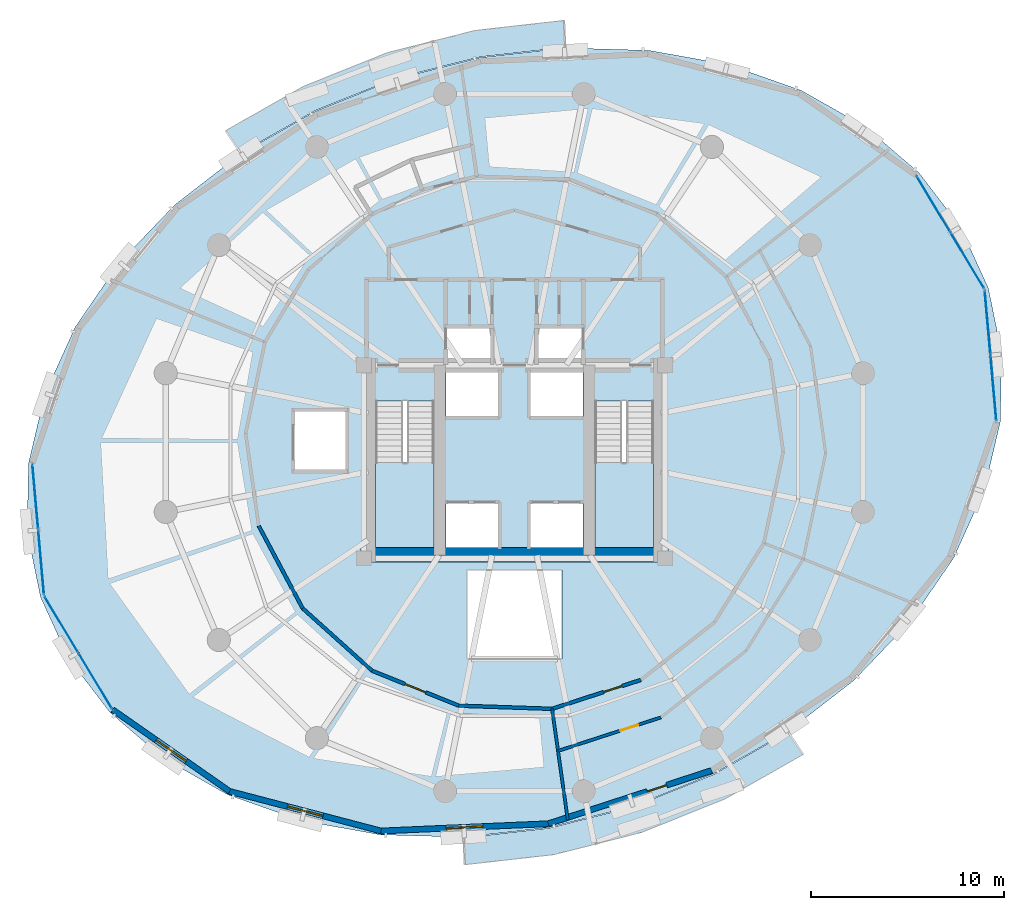
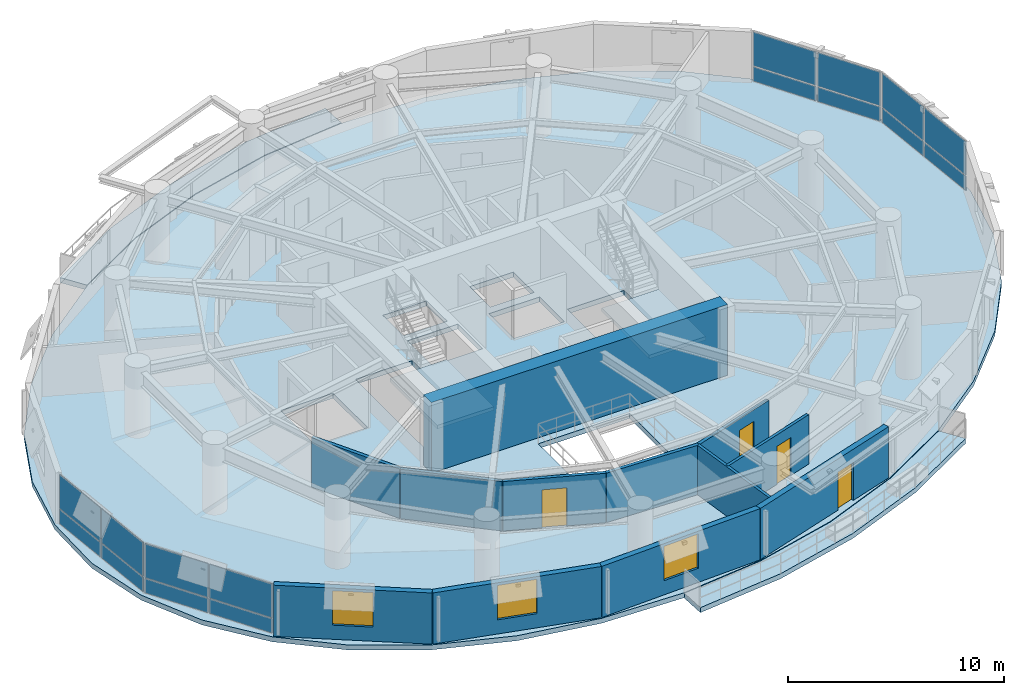
# One storey, part 9 of 15: 16 plates, 12 walls, 5 slabs, 4 doors, 3 windows, 7 openings, 6 elements without a shape of their own.
"""IFC4 building model written with IfcOpenShell, lengths in metres."""

from ifc_helpers import new_model, si_unit, direction, frame, frame_2d, origin, origin_2d, place, context, subcontext, project, spatial, polyline, rectangle, outline, extrude, material, layer, layer_set, type_object, element, fill, aggregate, save


model = new_model("IFC4")

# Units and contexts
model_context = context("Model", 3, precision=1e-05, world=origin(), true_north=direction((0.0, 1.0)))
body_context = subcontext(model_context, "Body", "Model", "MODEL_VIEW")
ifc_project = project(units=[si_unit("LENGTHUNIT", "METRE"), si_unit("AREAUNIT", "SQUARE_METRE"), si_unit("VOLUMEUNIT", "CUBIC_METRE"), si_unit("PLANEANGLEUNIT", "RADIAN"), si_unit("MASSUNIT", "GRAM", prefix="KILO"), si_unit("THERMODYNAMICTEMPERATUREUNIT", "KELVIN"), si_unit("POWERUNIT", "WATT")], contexts=[model_context])

# Site, building, storey
site_placement = place(None, origin())
site = spatial("IfcSite", under=ifc_project, at=site_placement, CompositionType="ELEMENT")
building_placement = place(site_placement, origin())
building = spatial("IfcBuilding", under=site, at=building_placement, Name="Ocrelia Relay Tower", CompositionType="ELEMENT")
storey_placement = place(building_placement, frame((0.0, 0.0, 109.800048828125)))
storey = spatial("IfcBuildingStorey", under=building, at=storey_placement, Name="L25", CompositionType="ELEMENT", Elevation=109.800048828125)

# Curtain wall, plates
ifc_material_1 = material(Name="Aluminium and solar-control low-E glass", Category="aluminium")
ifc_layer_1 = layer(ifc_material_1, 0.179931640625, Name="Aluminium and solar-control low-E glass")
ifc_layer_set_1 = layer_set([ifc_layer_1], Name="Aluminium and solar-control low-E glass")
curtain_wall_type = type_object("IfcCurtainWallType", Name="CW-SYS-Z2-SWIT", PredefinedType="NOTDEFINED", material=ifc_layer_set_1)
curtain_wall_1_placement = place(storey_placement, origin())
curtain_wall_1 = element("IfcCurtainWall", 1, at=curtain_wall_1_placement, inside=storey, type_object=curtain_wall_type, Name="L25 Elliptical Tower Curtain Wall Bay 01", PredefinedType="NOTDEFINED")
ifc_material_2 = material(Name="Clear double-glazed low-E glass", Category="glass")
ifc_layer_2 = layer(ifc_material_2, 0.031982421875, Name="Clear double-glazed low-E glass")
ifc_layer_set_2 = layer_set([ifc_layer_2], Name="Clear double-glazed low-E glass")
plate_type = type_object("IfcPlateType", Name="CW-SYS-Z2-SWIT-PNL", PredefinedType="CURTAIN_PANEL", material=ifc_layer_set_2)
plate_1_placement = place(storey_placement, frame((57.44482421875, 35.4208984375, 0.059814453125), z_axis=(0.0, 0.0, 1.0), x_axis=(-0.51532070347, 0.856997416901, 0.0)))
plate_1 = element("IfcPlate", 2, at=plate_1_placement, type_object=plate_type, Name="CW-Z2 panel 1.1", PredefinedType="CURTAIN_PANEL", context=body_context, shape_type="SweptSolid", body=[
    extrude(rectangle(XDim=3.33447265625, YDim=0.031982421875, at=origin_2d()), origin(), (0.0, 0.0, 1.0), 0.81005859375),
])
plate_2_placement = place(storey_placement, frame((57.44482421875, 35.4208984375, 0.93017578125), z_axis=(0.0, 0.0, 1.0), x_axis=(-0.51532070347, 0.856997416901, 0.0)))
plate_2 = element("IfcPlate", 3, at=plate_2_placement, type_object=plate_type, Name="CW-Z2 panel 1.2", PredefinedType="CURTAIN_PANEL", context=body_context, shape_type="SweptSolid", body=[
    extrude(rectangle(XDim=3.33447265625, YDim=0.031982421875, at=origin_2d()), origin(), (0.0, 0.0, 1.0), 1.909912109375),
])
plate_3_placement = place(storey_placement, frame((55.6904296875, 38.338623046875, 0.059814453125), z_axis=(0.0, 0.0, 1.0), x_axis=(-0.51532070347, 0.856997416901, 0.0)))
plate_3 = element("IfcPlate", 4, at=plate_3_placement, type_object=plate_type, Name="CW-Z2 panel 2.1", PredefinedType="CURTAIN_PANEL", context=body_context, shape_type="SweptSolid", body=[
    extrude(rectangle(XDim=3.33447265625, YDim=0.031982421875, at=origin_2d()), origin(), (0.0, 0.0, 1.0), 0.81005859375),
])
plate_4_placement = place(storey_placement, frame((55.6904296875, 38.338623046875, 0.93017578125), z_axis=(0.0, 0.0, 1.0), x_axis=(-0.51532070347, 0.856997416901, 0.0)))
plate_4 = element("IfcPlate", 5, at=plate_4_placement, type_object=plate_type, Name="CW-Z2 panel 2.2", PredefinedType="CURTAIN_PANEL", context=body_context, shape_type="SweptSolid", body=[
    extrude(rectangle(XDim=3.33447265625, YDim=0.031982421875, at=origin_2d()), origin(), (0.0, 0.0, 1.0), 1.909912109375),
])
aggregate(curtain_wall_1, [plate_1, plate_2, plate_3, plate_4])

curtain_wall_2_placement = place(storey_placement, origin())
curtain_wall_2 = element("IfcCurtainWall", 6, at=curtain_wall_2_placement, inside=storey, type_object=curtain_wall_type, Name="L25 Elliptical Tower Curtain Wall Bay 09", PredefinedType="NOTDEFINED")
plate_5_placement = place(storey_placement, frame((9.20458984375, 23.189453125, 0.059814453125), z_axis=(0.0, 0.0, 1.0), x_axis=(0.088557738612, -0.996071045123, 0.0)))
plate_5 = element("IfcPlate", 7, at=plate_5_placement, type_object=plate_type, Name="CW-Z2 panel 1.1", PredefinedType="CURTAIN_PANEL", context=body_context, shape_type="SweptSolid", body=[
    extrude(rectangle(XDim=3.33447265625, YDim=0.031982421875, at=origin_2d()), origin(), (0.0, 0.0, 1.0), 0.81005859375),
])
plate_6_placement = place(storey_placement, frame((9.20458984375, 23.189453125, 0.93017578125), z_axis=(0.0, 0.0, 1.0), x_axis=(0.088557738612, -0.996071045123, 0.0)))
plate_6 = element("IfcPlate", 8, at=plate_6_placement, type_object=plate_type, Name="CW-Z2 panel 1.2", PredefinedType="CURTAIN_PANEL", context=body_context, shape_type="SweptSolid", body=[
    extrude(rectangle(XDim=3.33447265625, YDim=0.031982421875, at=origin_2d()), origin(), (0.0, 0.0, 1.0), 1.909912109375),
])
plate_7_placement = place(storey_placement, frame((9.506103515625, 19.79833984375, 0.059814453125), z_axis=(0.0, 0.0, 1.0), x_axis=(0.088557738612, -0.996071045123, 0.0)))
plate_7 = element("IfcPlate", 9, at=plate_7_placement, type_object=plate_type, Name="CW-Z2 panel 2.1", PredefinedType="CURTAIN_PANEL", context=body_context, shape_type="SweptSolid", body=[
    extrude(rectangle(XDim=3.33447265625, YDim=0.031982421875, at=origin_2d()), origin(), (0.0, 0.0, 1.0), 0.81005859375),
])
plate_8_placement = place(storey_placement, frame((9.506103515625, 19.79833984375, 0.93017578125), z_axis=(0.0, 0.0, 1.0), x_axis=(0.088557738612, -0.996071045123, 0.0)))
plate_8 = element("IfcPlate", 10, at=plate_8_placement, type_object=plate_type, Name="CW-Z2 panel 2.2", PredefinedType="CURTAIN_PANEL", context=body_context, shape_type="SweptSolid", body=[
    extrude(rectangle(XDim=3.33447265625, YDim=0.031982421875, at=origin_2d()), origin(), (0.0, 0.0, 1.0), 1.909912109375),
])
aggregate(curtain_wall_2, [plate_5, plate_6, plate_7, plate_8])

curtain_wall_3_placement = place(storey_placement, origin())
curtain_wall_3 = element("IfcCurtainWall", 11, at=curtain_wall_3_placement, inside=storey, type_object=curtain_wall_type, Name="L25 Elliptical Tower Curtain Wall Bay 10", PredefinedType="NOTDEFINED")
plate_9_placement = place(storey_placement, frame((10.55517578125, 16.5791015625, 0.059814453125), z_axis=(0.0, 0.0, 1.0), x_axis=(0.51532070347, -0.856997416901, 0.0)))
plate_9 = element("IfcPlate", 12, at=plate_9_placement, type_object=plate_type, Name="CW-Z2 panel 1.1", PredefinedType="CURTAIN_PANEL", context=body_context, shape_type="SweptSolid", body=[
    extrude(rectangle(XDim=3.33447265625, YDim=0.031982421875, at=origin_2d()), origin(), (0.0, 0.0, 1.0), 0.81005859375),
])
plate_10_placement = place(storey_placement, frame((10.55517578125, 16.5791015625, 0.93017578125), z_axis=(0.0, 0.0, 1.0), x_axis=(0.51532070347, -0.856997416901, 0.0)))
plate_10 = element("IfcPlate", 13, at=plate_10_placement, type_object=plate_type, Name="CW-Z2 panel 1.2", PredefinedType="CURTAIN_PANEL", context=body_context, shape_type="SweptSolid", body=[
    extrude(rectangle(XDim=3.33447265625, YDim=0.031982421875, at=origin_2d()), origin(), (0.0, 0.0, 1.0), 1.909912109375),
])
plate_11_placement = place(storey_placement, frame((12.3095703125, 13.661376953125, 0.059814453125), z_axis=(0.0, 0.0, 1.0), x_axis=(0.51532070347, -0.856997416901, 0.0)))
plate_11 = element("IfcPlate", 14, at=plate_11_placement, type_object=plate_type, Name="CW-Z2 panel 2.1", PredefinedType="CURTAIN_PANEL", context=body_context, shape_type="SweptSolid", body=[
    extrude(rectangle(XDim=3.33447265625, YDim=0.031982421875, at=origin_2d()), origin(), (0.0, 0.0, 1.0), 0.81005859375),
])
plate_12_placement = place(storey_placement, frame((12.3095703125, 13.661376953125, 0.93017578125), z_axis=(0.0, 0.0, 1.0), x_axis=(0.51532070347, -0.856997416901, 0.0)))
plate_12 = element("IfcPlate", 15, at=plate_12_placement, type_object=plate_type, Name="CW-Z2 panel 2.2", PredefinedType="CURTAIN_PANEL", context=body_context, shape_type="SweptSolid", body=[
    extrude(rectangle(XDim=3.33447265625, YDim=0.031982421875, at=origin_2d()), origin(), (0.0, 0.0, 1.0), 1.909912109375),
])
aggregate(curtain_wall_3, [plate_9, plate_10, plate_11, plate_12])

curtain_wall_4_placement = place(storey_placement, origin())
curtain_wall_4 = element("IfcCurtainWall", 16, at=curtain_wall_4_placement, inside=storey, type_object=curtain_wall_type, Name="L25 Elliptical Tower Curtain Wall Bay 18", PredefinedType="NOTDEFINED")
plate_13_placement = place(storey_placement, frame((58.79541015625, 28.810546875, 0.059814453125), z_axis=(0.0, 0.0, 1.0), x_axis=(-0.088557738612, 0.996071045123, 0.0)))
plate_13 = element("IfcPlate", 17, at=plate_13_placement, type_object=plate_type, Name="CW-Z2 panel 1.1", PredefinedType="CURTAIN_PANEL", context=body_context, shape_type="SweptSolid", body=[
    extrude(rectangle(XDim=3.33447265625, YDim=0.031982421875, at=origin_2d()), origin(), (0.0, 0.0, 1.0), 0.81005859375),
])
plate_14_placement = place(storey_placement, frame((58.79541015625, 28.810546875, 0.93017578125), z_axis=(0.0, 0.0, 1.0), x_axis=(-0.088557738612, 0.996071045123, 0.0)))
plate_14 = element("IfcPlate", 18, at=plate_14_placement, type_object=plate_type, Name="CW-Z2 panel 1.2", PredefinedType="CURTAIN_PANEL", context=body_context, shape_type="SweptSolid", body=[
    extrude(rectangle(XDim=3.33447265625, YDim=0.031982421875, at=origin_2d()), origin(), (0.0, 0.0, 1.0), 1.909912109375),
])
plate_15_placement = place(storey_placement, frame((58.493896484375, 32.20166015625, 0.059814453125), z_axis=(0.0, 0.0, 1.0), x_axis=(-0.088557738612, 0.996071045123, 0.0)))
plate_15 = element("IfcPlate", 19, at=plate_15_placement, type_object=plate_type, Name="CW-Z2 panel 2.1", PredefinedType="CURTAIN_PANEL", context=body_context, shape_type="SweptSolid", body=[
    extrude(rectangle(XDim=3.33447265625, YDim=0.031982421875, at=origin_2d()), origin(), (0.0, 0.0, 1.0), 0.81005859375),
])
plate_16_placement = place(storey_placement, frame((58.493896484375, 32.20166015625, 0.93017578125), z_axis=(0.0, 0.0, 1.0), x_axis=(-0.088557738612, 0.996071045123, 0.0)))
plate_16 = element("IfcPlate", 20, at=plate_16_placement, type_object=plate_type, Name="CW-Z2 panel 2.2", PredefinedType="CURTAIN_PANEL", context=body_context, shape_type="SweptSolid", body=[
    extrude(rectangle(XDim=3.33447265625, YDim=0.031982421875, at=origin_2d()), origin(), (0.0, 0.0, 1.0), 1.909912109375),
])
aggregate(curtain_wall_4, [plate_13, plate_14, plate_15, plate_16])

# Slabs
ifc_material_3 = material(Name="Precast concrete C40/50", Category="concrete")
ifc_layer_3 = layer(ifc_material_3, 0.280029296875, Name="Precast concrete C40/50")
ifc_layer_set_3 = layer_set([ifc_layer_3], Name="Precast concrete C40/50")
slab_type_1 = type_object("IfcSlabType", Name="SL-BALC-280", PredefinedType="FLOOR", material=ifc_layer_set_3)
slab_1_placement = place(storey_placement, frame((0.0, 0.0, -0.280029296875)))
element("IfcSlab", 21, at=slab_1_placement, inside=storey, type_object=slab_type_1, Name="L25 Planted Loggia Balcony B1", PredefinedType="FLOOR", context=body_context, shape_type="SweptSolid", body=[
    extrude(outline(polyline([(36.62353515625, 46.454345703125), (34.418212890625, 46.205810546875), (32.21240234375, 45.957275390625), (27.855712890625, 44.854248046875), (23.685546875, 43.178466796875), (21.757080078125, 42.079833984375), (19.82861328125, 40.981201171875), (19.055419921875, 42.140380859375), (21.0673828125, 43.28662109375), (23.07958984375, 44.43310546875), (27.424072265625, 46.1787109375), (31.962890625, 47.327880859375), (34.26416015625, 47.58740234375), (36.5654296875, 47.8466796875), (36.62353515625, 46.454345703125)])), origin(), (0.0, 0.0, 1.0), 0.280029296875),
])
slab_2_placement = place(storey_placement, frame((0.0, 0.0, -0.280029296875)))
element("IfcSlab", 22, at=slab_2_placement, inside=storey, type_object=slab_type_1, Name="L25 Planted Loggia Balcony B2", PredefinedType="FLOOR", context=body_context, shape_type="SweptSolid", body=[
    extrude(outline(polyline([(31.37646484375, 5.545654296875), (33.581787109375, 5.794189453125), (35.78759765625, 6.042724609375), (40.144287109375, 7.145751953125), (44.314453125, 8.821533203125), (46.242919921875, 9.920166015625), (48.17138671875, 11.018798828125), (48.944580078125, 9.859619140625), (46.9326171875, 8.71337890625), (44.92041015625, 7.56689453125), (40.575927734375, 5.8212890625), (36.037109375, 4.672119140625), (33.73583984375, 4.41259765625), (31.4345703125, 4.1533203125), (31.37646484375, 5.545654296875)])), origin(), (0.0, 0.0, 1.0), 0.280029296875),
])
ifc_material_4 = material(Name="Concrete C50/60", Category="concrete")
ifc_layer_4 = layer(ifc_material_4, 0.280029296875, Name="Concrete C50/60")
ifc_layer_set_4 = layer_set([ifc_layer_4], Name="Concrete C50/60")
slab_type_2 = type_object("IfcSlabType", Name="SL-FLR-280", PredefinedType="FLOOR", material=ifc_layer_set_4)
slab_3_placement = place(storey_placement, frame((0.0, 0.0, -0.280029296875)))
element("IfcSlab", 23, at=slab_3_placement, inside=storey, type_object=slab_type_2, Name="L25 Elliptical Tower Floor Slab", PredefinedType="FLOOR", context=body_context, shape_type="SweptSolid", body=[
    extrude(outline(polyline([(58.5302734375, 33.993896484375), (57.09228515625, 37.1416015625), (54.95263671875, 39.95068359375), (52.176513671875, 42.335693359375), (48.847900390625, 44.224609375), (45.068115234375, 45.559814453125), (40.9521484375, 46.30029296875), (36.625, 46.42431640625), (32.218017578125, 45.927734375), (27.864990234375, 44.82568359375), (23.698486328125, 43.1513671875), (19.84521484375, 40.9560546875), (16.421875, 38.306396484375), (13.53271484375, 35.28271484375), (11.26513671875, 31.97705078125), (9.688720703125, 28.48974609375), (8.850830078125, 24.9267578125), (8.777099609375, 21.396484375), (9.4697265625, 18.006103515625), (10.90771484375, 14.8583984375), (13.04736328125, 12.04931640625), (15.823486328125, 9.664306640625), (19.152099609375, 7.775390625), (22.931884765625, 6.440185546875), (27.0478515625, 5.69970703125), (31.375, 5.57568359375), (35.781982421875, 6.072265625), (40.135009765625, 7.17431640625), (44.301513671875, 8.8486328125), (48.15478515625, 11.0439453125), (51.578125, 13.693603515625), (54.46728515625, 16.71728515625), (56.73486328125, 20.02294921875), (58.311279296875, 23.51025390625), (59.149169921875, 27.0732421875), (59.222900390625, 30.603515625), (58.5302734375, 33.993896484375)]), holes=[polyline([(26.81005859375, 28.14990234375), (26.81005859375, 20.550048828125), (29.85009765625, 20.550048828125), (29.85009765625, 28.14990234375), (26.81005859375, 28.14990234375)]), polyline([(38.159912109375, 28.14990234375), (38.159912109375, 20.550048828125), (41.199951171875, 20.550048828125), (41.199951171875, 28.14990234375), (38.159912109375, 28.14990234375)]), polyline([(30.4599609375, 20.550048828125), (33.159912109375, 20.550048828125), (33.159912109375, 22.85009765625), (30.4599609375, 22.85009765625), (30.4599609375, 20.550048828125)]), polyline([(34.840087890625, 20.550048828125), (37.5400390625, 20.550048828125), (37.5400390625, 22.85009765625), (34.840087890625, 22.85009765625), (34.840087890625, 20.550048828125)]), polyline([(30.4599609375, 27.35009765625), (33.159912109375, 27.35009765625), (33.159912109375, 29.64990234375), (30.4599609375, 29.64990234375), (30.4599609375, 27.35009765625)]), polyline([(34.840087890625, 27.35009765625), (37.5400390625, 27.35009765625), (37.5400390625, 29.64990234375), (34.840087890625, 29.64990234375), (34.840087890625, 27.35009765625)]), polyline([(30.5, 30.10009765625), (32.85009765625, 30.10009765625), (32.85009765625, 32.0), (30.5, 32.0), (30.5, 30.10009765625)]), polyline([(35.14990234375, 30.10009765625), (37.5, 30.10009765625), (37.5, 32.0), (35.14990234375, 32.0), (35.14990234375, 30.10009765625)]), polyline([(22.550048828125, 24.5), (25.35009765625, 24.5), (25.35009765625, 27.699951171875), (22.550048828125, 27.699951171875), (22.550048828125, 24.5)]), polyline([(31.550048828125, 14.800048828125), (36.449951171875, 14.800048828125), (36.449951171875, 19.39990234375), (31.550048828125, 19.39990234375), (31.550048828125, 14.800048828125)])]), origin(), (0.0, 0.0, 1.0), 0.280029296875),
])

# Stair, slab
stair_type = type_object("IfcStairType", Name="ST-DL-1420-R167", PredefinedType="HALF_TURN_STAIR", material=ifc_material_4)
stair_1_placement = place(storey_placement, origin())
stair_1 = element("IfcStair", 24, at=stair_1_placement, inside=storey, type_object=stair_type, Name="L25 West Core Exit Stair ST1", PredefinedType="HALF_TURN_STAIR")
ifc_layer_5 = layer(ifc_material_4, 0.199951171875, Name="Concrete C50/60")
ifc_layer_set_5 = layer_set([ifc_layer_5], Name="Concrete C50/60")
slab_type_3 = type_object("IfcSlabType", Name="SL-LANDING-200", PredefinedType="LANDING", material=ifc_layer_set_5)
slab_4_placement = place(storey_placement, frame((0.0, 0.0, 1.800048828125)))
slab_4 = element("IfcSlab", 25, at=slab_4_placement, type_object=slab_type_3, Name="ST1 landing 1", PredefinedType="LANDING", context=body_context, shape_type="SweptSolid", body=[
    extrude(outline(polyline([(26.81005859375, 24.9599609375), (26.81005859375, 20.550048828125), (29.85009765625, 20.550048828125), (29.85009765625, 24.9599609375), (26.81005859375, 24.9599609375)])), origin(), (0.0, 0.0, 1.0), 0.199951171875),
])
aggregate(stair_1, [slab_4])

stair_2_placement = place(storey_placement, origin())
stair_2 = element("IfcStair", 26, at=stair_2_placement, inside=storey, type_object=stair_type, Name="L25 East Core Exit Stair ST2", PredefinedType="HALF_TURN_STAIR")
slab_5_placement = place(storey_placement, frame((0.0, 0.0, 1.800048828125)))
slab_5 = element("IfcSlab", 27, at=slab_5_placement, type_object=slab_type_3, Name="ST2 landing 1", PredefinedType="LANDING", context=body_context, shape_type="SweptSolid", body=[
    extrude(outline(polyline([(38.159912109375, 24.9599609375), (38.159912109375, 20.550048828125), (41.199951171875, 20.550048828125), (41.199951171875, 24.9599609375), (38.159912109375, 24.9599609375)])), origin(), (0.0, 0.0, 1.0), 0.199951171875),
])
aggregate(stair_2, [slab_5])

# Walls
ifc_material_5 = material(Name="Concrete C60/75", Category="concrete")
ifc_layer_6 = layer(ifc_material_5, 0.75, Name="Concrete C60/75")
ifc_layer_set_6 = layer_set([ifc_layer_6], Name="Concrete C60/75")
wall_type_1 = type_object("IfcWallType", Name="CW-CORE-750", PredefinedType="SHEAR", material=ifc_layer_set_6)
wall_1_placement = place(storey_placement, frame((26.072021484375, 20.18701171875, 0.0), z_axis=(0.0, 0.0, 1.0), x_axis=(1.0, 0.0, 0.0)))
element("IfcWall", 28, at=wall_1_placement, inside=storey, type_object=wall_type_1, Name="L25 Core Shear Wall S", PredefinedType="SHEAR", context=body_context, shape_type="SweptSolid", body=[
    extrude(rectangle(XDim=15.865966796875, YDim=0.75, at=frame_2d((7.93310546875, 0.0))), origin(), (0.0, 0.0, 1.0), 4.0),
])
ifc_material_6 = material(Name="Gypsum Fireboard Partition EI60", Category="gypsum")
ifc_layer_7 = layer(ifc_material_6, 0.179931640625, Name="Gypsum Fireboard Partition EI60")
ifc_layer_set_7 = layer_set([ifc_layer_7], Name="Gypsum Fireboard Partition EI60")
wall_type_2 = type_object("IfcWallType", Name="W-CORR-EI60-180", PredefinedType="PARTITIONING", material=ifc_layer_set_7)
for number, where, z_axis, x_axis, name in (
    (29, (20.76513671875, 21.68701171875, 0.0), (0.0, 0.0, 1.0), (0.470213368223, -0.882552768023, 0.0), "L25 Optical Switching Hall A Corridor Partition 3"),
    (30, (23.038330078125, 17.42041015625, 0.0), (0.0, 0.0, 1.0), (0.743728409831, -0.668481901333, 0.0), "L25 Optical Switching Hall A Corridor Partition 4"),
):
    element("IfcWall", number, at=place(storey_placement, frame(where, z_axis=z_axis, x_axis=x_axis)), inside=storey, type_object=wall_type_2, Name=name, PredefinedType="PARTITIONING", context=body_context, shape_type="SweptSolid", body=[
        extrude(rectangle(XDim=4.83447265625, YDim=0.179931640625, at=frame_2d((2.417236328125, 0.0))), origin(), (0.0, 0.0, 1.0), 2.800048828125),
    ])

# Wall, opening, door
wall_2_placement = place(storey_placement, frame((26.6337890625, 14.188720703125, 0.0), z_axis=(0.0, 0.0, 1.0), x_axis=(0.927512361667, -0.373792481138, 0.0)))
wall_2 = element("IfcWall", 31, at=wall_2_placement, inside=storey, type_object=wall_type_2, Name="L25 Optical Switching Hall A Corridor Partition 5", PredefinedType="PARTITIONING", context=body_context, shape_type="SweptSolid", body=[
    extrude(rectangle(XDim=4.83447265625, YDim=0.179931640625, at=frame_2d((2.417236328125, 0.0))), origin(), (0.0, 0.0, 1.0), 2.800048828125),
])
opening_1_placement = place(wall_2_placement, frame((1.84228515625, 0.0, 0.0)))
opening_1 = element("IfcOpeningElement", 32, at=opening_1_placement, cuts=wall_2, Name="Opening D-RM115", PredefinedType="OPENING", context=body_context, shape_type="SweptSolid", body=[
    extrude(rectangle(XDim=1.14990234375, YDim=2.14990234375, at=frame_2d((0.574951171875, 1.074951171875))), frame((0.0, 0.10009765625, 0.0), z_axis=(0.0, -1.0, 0.0), x_axis=(1.0, 0.0, 0.0)), (0.0, 0.0, 1.0), 0.199951171875),
])
ifc_material_7 = material(Name="Wide acoustic oak veneer fire door", Category="wood")
door_type_1 = type_object("IfcDoorType", Name="DR-ROOM-1150", OperationType="NOTDEFINED", PredefinedType="DOOR", material=ifc_material_7)
door_1_placement = place(opening_1_placement, origin())
door_1 = element("IfcDoor", 33, at=door_1_placement, inside=storey, type_object=door_type_1, Name="L25 Optical Switching Hall A Entrance Door", OperationType="SINGLE_SWING_RIGHT", OverallHeight=2.14990234375, OverallWidth=1.14990234375, PredefinedType="DOOR", context=body_context, shape_type="SweptSolid", body=[
    extrude(rectangle(XDim=1.14990234375, YDim=2.14990234375, at=frame_2d((0.574951171875, 1.074951171875))), frame((0.0, 0.02490234375, 0.0), z_axis=(0.0, -1.0, 0.0), x_axis=(1.0, 0.0, 0.0)), (0.0, 0.0, 1.0), 0.050048828125),
])
fill(opening_1, door_1)

# Wall
wall_3_placement = place(storey_placement, frame((31.117919921875, 12.381591796875, 0.0), z_axis=(0.0, 0.0, 1.0), x_axis=(0.999422202169, -0.033989142557, 0.0)))
element("IfcWall", 34, at=wall_3_placement, inside=storey, type_object=wall_type_2, Name="L25 Optical Switching Hall A Corridor Partition 6", PredefinedType="PARTITIONING", context=body_context, shape_type="SweptSolid", body=[
    extrude(rectangle(XDim=4.833984375, YDim=0.179931640625, at=frame_2d((2.4169921875, 0.0))), origin(), (0.0, 0.0, 1.0), 2.800048828125),
])

# Wall, opening, door
wall_4_placement = place(storey_placement, frame((35.94921875, 12.21728515625, 0.0), z_axis=(0.0, 0.0, 1.0), x_axis=(0.950797767215, 0.309812210636, 0.0)))
wall_4 = element("IfcWall", 35, at=wall_4_placement, inside=storey, type_object=wall_type_2, Name="L25 Routing Office C Corridor Partition 1", PredefinedType="PARTITIONING", context=body_context, shape_type="SweptSolid", body=[
    extrude(rectangle(XDim=4.83447265625, YDim=0.179931640625, at=frame_2d((2.417236328125, 0.0))), origin(), (0.0, 0.0, 1.0), 2.800048828125),
])
opening_2_placement = place(wall_4_placement, frame((2.80078125, 0.0, 0.0)))
opening_2 = element("IfcOpeningElement", 36, at=opening_2_placement, cuts=wall_4, Name="Opening D-RM100", PredefinedType="OPENING", context=body_context, shape_type="SweptSolid", body=[
    extrude(rectangle(XDim=1.0, YDim=2.14990234375, at=frame_2d((0.5, 1.074951171875))), frame((0.0, 0.10009765625, 0.0), z_axis=(0.0, -1.0, 0.0), x_axis=(1.0, 0.0, 0.0)), (0.0, 0.0, 1.0), 0.199951171875),
])
ifc_material_8 = material(Name="Acoustic oak veneer fire door", Category="wood")
door_type_2 = type_object("IfcDoorType", Name="DR-ROOM-FD60-1000", OperationType="NOTDEFINED", PredefinedType="DOOR", material=ifc_material_8)
door_2_placement = place(opening_2_placement, origin())
door_2 = element("IfcDoor", 37, at=door_2_placement, inside=storey, type_object=door_type_2, Name="L25 Routing Office C Entrance Door", OperationType="SINGLE_SWING_LEFT", OverallHeight=2.14990234375, OverallWidth=1.0, PredefinedType="DOOR", context=body_context, shape_type="SweptSolid", body=[
    extrude(rectangle(XDim=1.0, YDim=2.14990234375, at=frame_2d((0.5, 1.074951171875))), frame((0.0, 0.02490234375, 0.0), z_axis=(0.0, -1.0, 0.0), x_axis=(1.0, 0.0, 0.0)), (0.0, 0.0, 1.0), 0.050048828125),
])
fill(opening_2, door_2)

# Wall, opening, window
ifc_material_9 = material(Name="Precast concrete C40/50 with oxide terracotta", Category="masonry")
ifc_layer_8 = layer(ifc_material_9, 0.300048828125, Name="Precast concrete C40/50 with oxide terracotta")
ifc_layer_set_8 = layer_set([ifc_layer_8], Name="Precast concrete C40/50 with oxide terracotta")
wall_type_3 = type_object("IfcWallType", Name="W-EXT-TERR-300", PredefinedType="SOLIDWALL", material=ifc_layer_set_8)
wall_5_placement = place(storey_placement, frame((13.204833984375, 12.172607421875, 0.0), z_axis=(0.0, 0.0, 1.0), x_axis=(0.81984972054, -0.572578759412, 0.0)))
wall_5 = element("IfcWall", 38, at=wall_5_placement, inside=storey, type_object=wall_type_3, Name="L25 Oxide Terracotta Facade Wall 11", PredefinedType="SOLIDWALL", context=body_context, shape_type="SweptSolid", body=[
    extrude(rectangle(XDim=7.38330078125, YDim=0.300048828125, at=frame_2d((3.691650390625, 0.0))), origin(), (0.0, 0.0, 1.0), 2.89990234375),
])
opening_3_placement = place(wall_5_placement, frame((2.741943359375, 0.0, 0.800048828125)))
opening_3 = element("IfcOpeningElement", 39, at=opening_3_placement, cuts=wall_5, Name="Opening W-06", PredefinedType="OPENING", context=body_context, shape_type="SweptSolid", body=[
    extrude(rectangle(XDim=1.89990234375, YDim=1.949951171875, at=frame_2d((0.949951171875, 0.97509765625))), frame((0.0, 0.16015625, 0.0), z_axis=(0.0, -1.0, 0.0), x_axis=(1.0, 0.0, 0.0)), (0.0, 0.0, 1.0), 0.320068359375),
])
window_type = type_object("IfcWindowType", Name="WIN-Z2-1900x2100", PartitioningType="DOUBLE_PANEL_VERTICAL", PredefinedType="WINDOW", material=ifc_material_2)
window_1_placement = place(opening_3_placement, origin())
window_1 = element("IfcWindow", 40, at=window_1_placement, inside=storey, type_object=window_type, Name="L25 Facade Module Window 11", OverallHeight=1.949951171875, OverallWidth=1.89990234375, PartitioningType="SINGLE_PANEL", PredefinedType="WINDOW", context=body_context, shape_type="SweptSolid", body=[
    extrude(rectangle(XDim=1.89990234375, YDim=1.949951171875, at=frame_2d((0.949951171875, 0.97509765625))), frame((0.0, 0.030029296875, 0.0), z_axis=(0.0, -1.0, 0.0), x_axis=(1.0, 0.0, 0.0)), (0.0, 0.0, 1.0), 0.06005859375),
])
fill(opening_3, window_1)

wall_6_placement = place(storey_placement, frame((19.258056640625, 7.945068359375, 0.0), z_axis=(0.0, 0.0, 1.0), x_axis=(0.96741005133, -0.253214913831, 0.0)))
wall_6 = element("IfcWall", 41, at=wall_6_placement, inside=storey, type_object=wall_type_3, Name="L25 Oxide Terracotta Facade Wall 12", PredefinedType="SOLIDWALL", context=body_context, shape_type="SweptSolid", body=[
    extrude(rectangle(XDim=8.09521484375, YDim=0.300048828125, at=frame_2d((4.047607421875, 0.0))), origin(), (0.0, 0.0, 1.0), 2.89990234375),
])
opening_4_placement = place(wall_6_placement, frame((3.097900390625, 0.0, 0.800048828125)))
opening_4 = element("IfcOpeningElement", 42, at=opening_4_placement, cuts=wall_6, Name="Opening W-06", PredefinedType="OPENING", context=body_context, shape_type="SweptSolid", body=[
    extrude(rectangle(XDim=1.89990234375, YDim=1.949951171875, at=frame_2d((0.949951171875, 0.97509765625))), frame((0.0, 0.16015625, 0.0), z_axis=(0.0, -1.0, 0.0), x_axis=(1.0, 0.0, 0.0)), (0.0, 0.0, 1.0), 0.320068359375),
])
window_2_placement = place(opening_4_placement, origin())
window_2 = element("IfcWindow", 43, at=window_2_placement, inside=storey, type_object=window_type, Name="L25 Facade Module Window 12", OverallHeight=1.949951171875, OverallWidth=1.89990234375, PartitioningType="SINGLE_PANEL", PredefinedType="WINDOW", context=body_context, shape_type="SweptSolid", body=[
    extrude(rectangle(XDim=1.89990234375, YDim=1.949951171875, at=frame_2d((0.949951171875, 0.97509765625))), frame((0.0, 0.030029296875, 0.0), z_axis=(0.0, -1.0, 0.0), x_axis=(1.0, 0.0, 0.0)), (0.0, 0.0, 1.0), 0.06005859375),
])
fill(opening_4, window_2)

wall_7_placement = place(storey_placement, frame((27.08935546875, 5.895263671875, 0.0), z_axis=(0.0, 0.0, 1.0), x_axis=(0.999064795905, 0.043238103365, 0.0)))
wall_7 = element("IfcWall", 44, at=wall_7_placement, inside=storey, type_object=wall_type_3, Name="L25 Oxide Terracotta Facade Wall 13", PredefinedType="SOLIDWALL", context=body_context, shape_type="SweptSolid", body=[
    extrude(rectangle(XDim=8.6728515625, YDim=0.300048828125, at=frame_2d((4.33642578125, 0.0))), origin(), (0.0, 0.0, 1.0), 2.89990234375),
])
opening_5_placement = place(wall_7_placement, frame((3.385986328125, 0.0, 0.800048828125)))
opening_5 = element("IfcOpeningElement", 45, at=opening_5_placement, cuts=wall_7, Name="Opening W-06", PredefinedType="OPENING", context=body_context, shape_type="SweptSolid", body=[
    extrude(rectangle(XDim=1.89990234375, YDim=1.949951171875, at=frame_2d((0.949951171875, 0.97509765625))), frame((0.0, 0.16015625, 0.0), z_axis=(0.0, -1.0, 0.0), x_axis=(1.0, 0.0, 0.0)), (0.0, 0.0, 1.0), 0.320068359375),
])
window_3_placement = place(opening_5_placement, origin())
window_3 = element("IfcWindow", 46, at=window_3_placement, inside=storey, type_object=window_type, Name="L25 Facade Module Window 13", OverallHeight=1.949951171875, OverallWidth=1.89990234375, PartitioningType="SINGLE_PANEL", PredefinedType="WINDOW", context=body_context, shape_type="SweptSolid", body=[
    extrude(rectangle(XDim=1.89990234375, YDim=1.949951171875, at=frame_2d((0.949951171875, 0.97509765625))), frame((0.0, 0.030029296875, 0.0), z_axis=(0.0, -1.0, 0.0), x_axis=(1.0, 0.0, 0.0)), (0.0, 0.0, 1.0), 0.06005859375),
])
fill(opening_5, window_3)

# Wall, opening, door
wall_8_placement = place(storey_placement, frame((35.754150390625, 6.270263671875, 0.0), z_axis=(0.0, 0.0, 1.0), x_axis=(0.950784544228, 0.309852788363, 0.0)))
wall_8 = element("IfcWall", 47, at=wall_8_placement, inside=storey, type_object=wall_type_3, Name="L25 Oxide Terracotta Facade Wall 14", PredefinedType="SOLIDWALL", context=body_context, shape_type="SweptSolid", body=[
    extrude(rectangle(XDim=8.890869140625, YDim=0.300048828125, at=frame_2d((4.4453125, 0.0))), origin(), (0.0, 0.0, 1.0), 2.89990234375),
])
opening_6_placement = place(wall_8_placement, frame((5.389892578125, 0.0, 0.0)))
opening_6 = element("IfcOpeningElement", 48, at=opening_6_placement, cuts=wall_8, Name="Opening DB-105", PredefinedType="OPENING", context=body_context, shape_type="SweptSolid", body=[
    extrude(rectangle(XDim=1.050048828125, YDim=2.14990234375, at=frame_2d((0.52490234375, 1.074951171875))), frame((0.0, 0.16015625, 0.0), z_axis=(0.0, -1.0, 0.0), x_axis=(1.0, 0.0, 0.0)), (0.0, 0.0, 1.0), 0.320068359375),
])
ifc_material_10 = material(Name="Thermally broken aluminium and clear glass", Category="aluminium")
door_type_3 = type_object("IfcDoorType", Name="DR-BALC-1050", OperationType="NOTDEFINED", PredefinedType="DOOR", material=ifc_material_10)
door_3_placement = place(opening_6_placement, origin())
door_3 = element("IfcDoor", 49, at=door_3_placement, inside=storey, type_object=door_type_3, Name="L25 Planted Loggia Balcony Door B2", OperationType="SINGLE_SWING_LEFT", OverallHeight=2.14990234375, OverallWidth=1.050048828125, PredefinedType="DOOR", context=body_context, shape_type="SweptSolid", body=[
    extrude(rectangle(XDim=1.050048828125, YDim=2.14990234375, at=frame_2d((0.52490234375, 1.074951171875))), frame((0.0, 0.02490234375, 0.0), z_axis=(0.0, -1.0, 0.0), x_axis=(1.0, 0.0, 0.0)), (0.0, 0.0, 1.0), 0.050048828125),
])
fill(opening_6, door_3)

# Wall
ifc_material_11 = material(Name="Acoustic Fireboard Partition EI60", Category="gypsum")
ifc_layer_9 = layer(ifc_material_11, 0.14990234375, Name="Acoustic Fireboard Partition EI60")
ifc_layer_set_9 = layer_set([ifc_layer_9], Name="Acoustic Fireboard Partition EI60")
wall_type_4 = type_object("IfcWallType", Name="W-PART-150", PredefinedType="PARTITIONING", material=ifc_layer_set_9)
wall_9_placement = place(storey_placement, frame((35.94921875, 12.21728515625, 0.0), z_axis=(0.0, 0.0, 1.0), x_axis=(0.140043084192, -0.990145410821, 0.0)))
element("IfcWall", 50, at=wall_9_placement, inside=storey, type_object=wall_type_4, Name="L25 Optical Switching Hall A Radial Partition", PredefinedType="PARTITIONING", context=body_context, shape_type="SweptSolid", body=[
    extrude(rectangle(XDim=5.803466796875, YDim=0.14990234375, at=frame_2d((2.90185546875, 0.0))), origin(), (0.0, 0.0, 1.0), 2.800048828125),
])

# Wall, opening, door
wall_10_placement = place(storey_placement, frame((36.25732421875, 10.038818359375, 0.0), z_axis=(0.0, 0.0, 1.0), x_axis=(0.950789897023, 0.30983636281, 0.0)))
wall_10 = element("IfcWall", 51, at=wall_10_placement, inside=storey, type_object=wall_type_4, Name="L25 Perimeter Routing Office C Mid-Ring Partition 1", PredefinedType="PARTITIONING", context=body_context, shape_type="SweptSolid", body=[
    extrude(rectangle(XDim=5.598388671875, YDim=0.14990234375, at=frame_2d((2.79931640625, 0.0))), origin(), (0.0, 0.0, 1.0), 2.800048828125),
])
opening_7_placement = place(wall_10_placement, frame((3.396240234375, 0.0, 0.0)))
opening_7 = element("IfcOpeningElement", 52, at=opening_7_placement, cuts=wall_10, Name="Opening D-RM95", PredefinedType="OPENING", context=body_context, shape_type="SweptSolid", body=[
    extrude(rectangle(XDim=0.949951171875, YDim=2.14990234375, at=frame_2d((0.47509765625, 1.074951171875))), frame((0.0, 0.0849609375, 0.0), z_axis=(0.0, -1.0, 0.0), x_axis=(1.0, 0.0, 0.0)), (0.0, 0.0, 1.0), 0.169921875),
])
door_type_4 = type_object("IfcDoorType", Name="DR-ROOM-950", OperationType="NOTDEFINED", PredefinedType="DOOR", material=ifc_material_8)
door_4_placement = place(opening_7_placement, origin())
door_4 = element("IfcDoor", 53, at=door_4_placement, inside=storey, type_object=door_type_4, Name="L25 Perimeter Routing Office C Connecting Door", OperationType="SINGLE_SWING_RIGHT", OverallHeight=2.14990234375, OverallWidth=0.949951171875, PredefinedType="DOOR", context=body_context, shape_type="SweptSolid", body=[
    extrude(rectangle(XDim=0.949951171875, YDim=2.14990234375, at=frame_2d((0.47509765625, 1.074951171875))), frame((0.0, 0.02490234375, 0.0), z_axis=(0.0, -1.0, 0.0), x_axis=(1.0, 0.0, 0.0)), (0.0, 0.0, 1.0), 0.050048828125),
])
fill(opening_7, door_4)

save(model, "model.ifc")
